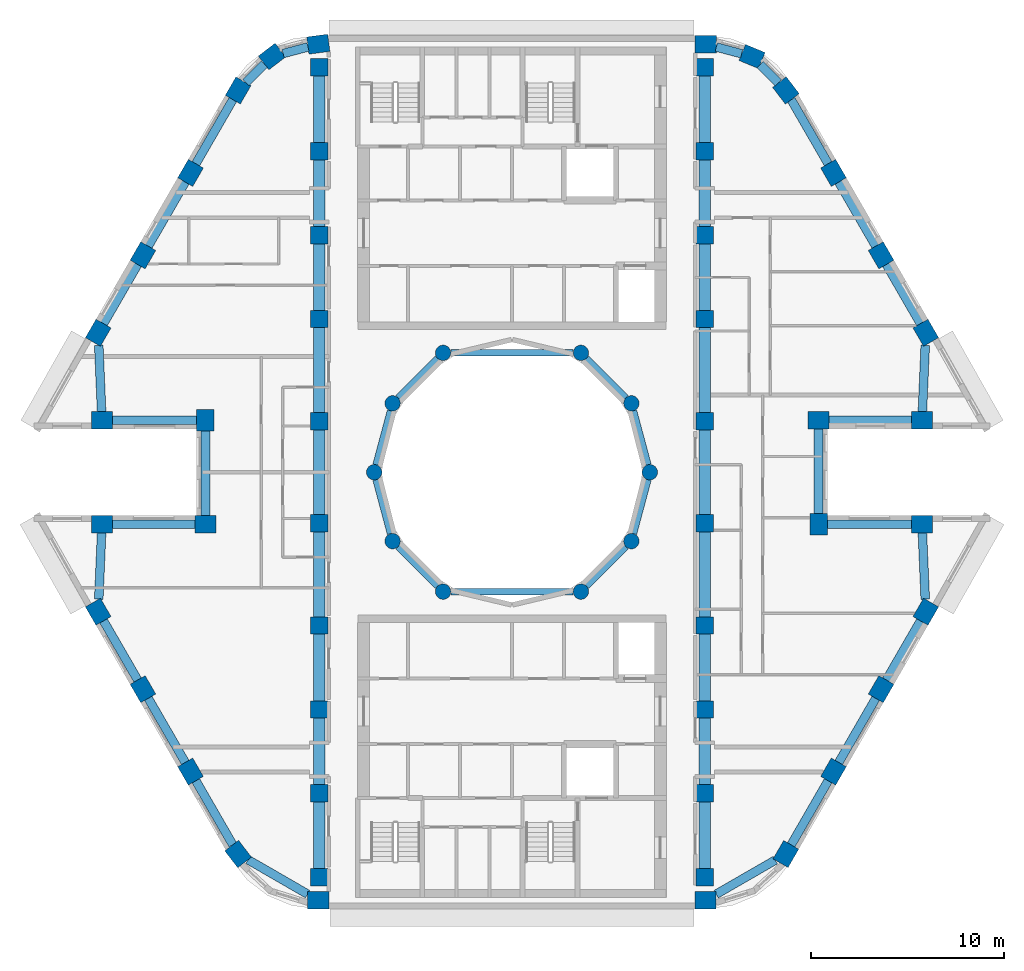
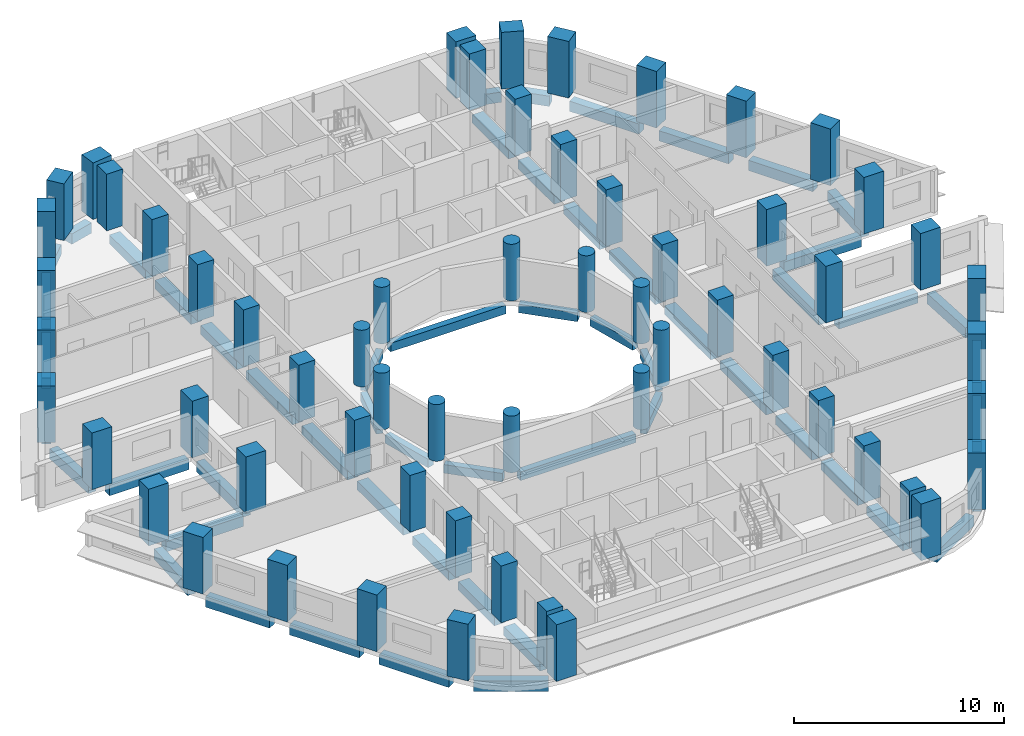
# One storey, part 1 of 12: 60 columns, 56 beams.
"""IFC4 building model written with IfcOpenShell, lengths in metres."""

from ifc_helpers import new_model, si_unit, direction, frame, origin, origin_2d, place, context, subcontext, project, spatial, rectangle, circle, extrude, material, material_profile, profile_set, type_object, element, save


model = new_model("IFC4")

# Units and contexts
model_context = context("Model", 3, precision=1e-05, world=origin(), true_north=direction((0.0, 1.0)))
body_context = subcontext(model_context, "Body", "Model", "MODEL_VIEW")
ifc_project = project(units=[si_unit("LENGTHUNIT", "METRE"), si_unit("AREAUNIT", "SQUARE_METRE"), si_unit("VOLUMEUNIT", "CUBIC_METRE"), si_unit("PLANEANGLEUNIT", "RADIAN"), si_unit("MASSUNIT", "GRAM", prefix="KILO")], contexts=[model_context])

# Site, building, storey
site_placement = place(None, origin())
site = spatial("IfcSite", under=ifc_project, at=site_placement, CompositionType="ELEMENT")
building_placement = place(site_placement, origin())
building = spatial("IfcBuilding", under=site, at=building_placement, Name="Nakaniwa Court", CompositionType="ELEMENT")
storey_placement = place(building_placement, frame((0.0, 0.0, 252.60009765625)))
storey = spatial("IfcBuildingStorey", under=building, at=storey_placement, Name="L66", CompositionType="ELEMENT", Elevation=252.60009765625)

# Columns
ifc_material = material(Name="Concrete C80/100", Category="concrete")
ifc_material_profile_1 = material_profile(ifc_material, rectangle(XDim=1.10009765625, YDim=0.89990234375, at=origin_2d()), Name="Concrete C80/100 RC 1100x900 perimeter column")
ifc_profile_set_1 = profile_set([ifc_material_profile_1], Name="Concrete C80/100")
column_type_1 = type_object("IfcColumnType", Name="Concrete C80/100 RC 1100x900 perimeter column", PredefinedType="COLUMN", material=ifc_profile_set_1)
for number, where, z_axis, x_axis, name in (
    (1, (69.95458984375, 102.199951171875, 0.0), (0.0, 0.0, 1.0), (-0.991442583111, -0.130543496177, 0.0), "COLUMN CO-01"),
    (2, (67.552001953125, 101.560302734375, 0.0), (0.0, 0.0, 1.0), (-0.793363965062, -0.608747582288, 0.0), "COLUMN CO-02"),
    (3, (65.796875, 99.799560546875, 0.0), (0.0, 0.0, 1.0), (-0.5, -0.866025403784, 0.0), "COLUMN CO-03"),
    (4, (63.328857421875, 95.524658203125, 0.0), (0.0, 0.0, 1.0), (-0.5, -0.866025403784, 0.0), "COLUMN CO-04"),
    (5, (60.860595703125, 91.249755859375, 0.0), (0.0, 0.0, 1.0), (-0.5, -0.866025403784, 0.0), "COLUMN CO-05"),
    (6, (58.541015625, 87.232177734375, 0.0), (0.0, 0.0, 1.0), (-0.5, -0.866025403784, 0.0), "COLUMN CO-06"),
    (7, (58.736083984375, 82.699951171875, 0.0), (0.0, 0.0, 1.0), (1.0, 0.0, 0.0), "COLUMN CO-08"),
    (8, (64.1005859375, 82.699951171875, 0.0), (0.0, 0.0, 1.0), (0.0, -1.0, 0.0), "COLUMN CO-09"),
    (9, (64.1005859375, 77.300048828125, 0.0), (0.0, 0.0, 1.0), (-1.0, 0.0, 0.0), "COLUMN CO-10"),
    (10, (58.736083984375, 77.300048828125, 0.0), (0.0, 0.0, 1.0), (-1.0, 0.0, 0.0), "COLUMN CO-11"),
    (11, (58.541015625, 72.767822265625, 0.0), (0.0, 0.0, 1.0), (0.5, -0.866025403784, 0.0), "COLUMN CO-13"),
    (12, (60.860595703125, 68.750244140625, 0.0), (0.0, 0.0, 1.0), (0.5, -0.866025403784, 0.0), "COLUMN CO-14"),
    (13, (63.328857421875, 64.475341796875, 0.0), (0.0, 0.0, 1.0), (0.5, -0.866025403784, 0.0), "COLUMN CO-15"),
    (14, (65.796875, 60.200439453125, 0.0), (0.0, 0.0, 1.0), (0.608761429009, -0.793353340291, 0.0), "COLUMN CO-16"),
    (15, (69.95458984375, 57.800048828125, 0.0), (0.0, 0.0, 1.0), (1.0, 0.0, 0.0), "COLUMN CO-17"),
    (16, (90.03955078125, 57.800048828125, 0.0), (0.0, 0.0, 1.0), (1.0, 0.0, 0.0), "COLUMN CO-21"),
    (17, (94.203125, 60.200439453125, 0.0), (0.0, 0.0, 1.0), (0.5, 0.866025403784, 0.0), "COLUMN CO-22"),
    (18, (96.671142578125, 64.475341796875, 0.0), (0.0, 0.0, 1.0), (0.5, 0.866025403784, 0.0), "COLUMN CO-23"),
    (19, (99.139404296875, 68.750244140625, 0.0), (0.0, 0.0, 1.0), (0.5, 0.866025403784, 0.0), "COLUMN CO-24"),
    (20, (101.458984375, 72.767822265625, 0.0), (0.0, 0.0, 1.0), (0.5, 0.866025403784, 0.0), "COLUMN CO-25"),
    (21, (101.263916015625, 77.300048828125, 0.0), (0.0, 0.0, 1.0), (-1.0, 0.0, 0.0), "COLUMN CO-27"),
    (22, (95.8994140625, 77.300048828125, 0.0), (0.0, 0.0, 1.0), (0.0, 1.0, 0.0), "COLUMN CO-28"),
    (23, (95.8994140625, 82.699951171875, 0.0), (0.0, 0.0, 1.0), (1.0, 0.0, 0.0), "COLUMN CO-29"),
    (24, (101.263916015625, 82.699951171875, 0.0), (0.0, 0.0, 1.0), (1.0, 0.0, 0.0), "COLUMN CO-30"),
    (25, (101.458984375, 87.232177734375, 0.0), (0.0, 0.0, 1.0), (-0.5, 0.866025403784, 0.0), "COLUMN CO-32"),
    (26, (99.139404296875, 91.249755859375, 0.0), (0.0, 0.0, 1.0), (-0.5, 0.866025403784, 0.0), "COLUMN CO-33"),
    (27, (96.671142578125, 95.524658203125, 0.0), (0.0, 0.0, 1.0), (-0.5, 0.866025403784, 0.0), "COLUMN CO-34"),
    (28, (94.203125, 99.799560546875, 0.0), (0.0, 0.0, 1.0), (-0.608761429009, 0.793353340291, 0.0), "COLUMN CO-35"),
    (29, (92.447998046875, 101.560302734375, 0.0), (0.0, 0.0, 1.0), (-0.923879532511, 0.382683432365, 0.0), "COLUMN CO-36"),
    (30, (90.04541015625, 102.199951171875, 0.0), (0.0, 0.0, 1.0), (-1.0, 0.0, 0.0), "COLUMN CO-37"),
):
    element("IfcColumn", number, at=place(storey_placement, frame(where, z_axis=z_axis, x_axis=x_axis)), inside=storey, type_object=column_type_1, Name=name, PredefinedType="COLUMN", context=body_context, shape_type="SweptSolid", body=[
        extrude(rectangle(XDim=1.10009765625, YDim=0.89990234375, at=origin_2d()), origin(), (0.0, 0.0, 1.0), 3.2998046875),
    ])
ifc_material_profile_2 = material_profile(ifc_material, rectangle(XDim=0.89990234375, YDim=0.89990234375, at=origin_2d()), Name="Concrete C80/100 RC 900x900 spine column")
ifc_profile_set_2 = profile_set([ifc_material_profile_2], Name="Concrete C80/100")
column_type_2 = type_object("IfcColumnType", Name="Concrete C80/100 RC 900x900 spine column", PredefinedType="COLUMN", material=ifc_profile_set_2)
for number, where, z_axis, x_axis, name in (
    (31, (90.0, 59.0, 0.0), (0.0, 0.0, 1.0), (0.0, 1.0, 0.0), "COLUMN CS-01"),
    (32, (90.0, 63.35009765625, 0.0), (0.0, 0.0, 1.0), (0.0, 1.0, 0.0), "COLUMN CS-02"),
    (33, (90.0, 67.699951171875, 0.0), (0.0, 0.0, 1.0), (0.0, 1.0, 0.0), "COLUMN CS-03"),
    (34, (90.0, 72.050048828125, 0.0), (0.0, 0.0, 1.0), (0.0, 1.0, 0.0), "COLUMN CS-04"),
    (35, (90.0, 77.35009765625, 0.0), (0.0, 0.0, 1.0), (0.0, 1.0, 0.0), "COLUMN CS-05"),
    (36, (90.0, 82.64990234375, 0.0), (0.0, 0.0, 1.0), (0.0, 1.0, 0.0), "COLUMN CS-06"),
    (37, (90.0, 87.949951171875, 0.0), (0.0, 0.0, 1.0), (0.0, 1.0, 0.0), "COLUMN CS-07"),
    (38, (90.0, 92.300048828125, 0.0), (0.0, 0.0, 1.0), (0.0, 1.0, 0.0), "COLUMN CS-08"),
    (39, (90.0, 96.64990234375, 0.0), (0.0, 0.0, 1.0), (0.0, 1.0, 0.0), "COLUMN CS-09"),
    (40, (90.0, 101.0, 0.0), (0.0, 0.0, 1.0), (0.0, 1.0, 0.0), "COLUMN CS-10"),
    (41, (70.0, 101.0, 0.0), (0.0, 0.0, 1.0), (0.0, -1.0, 0.0), "COLUMN CS-11"),
    (42, (70.0, 96.64990234375, 0.0), (0.0, 0.0, 1.0), (0.0, -1.0, 0.0), "COLUMN CS-12"),
    (43, (70.0, 92.300048828125, 0.0), (0.0, 0.0, 1.0), (0.0, -1.0, 0.0), "COLUMN CS-13"),
    (44, (70.0, 87.949951171875, 0.0), (0.0, 0.0, 1.0), (0.0, -1.0, 0.0), "COLUMN CS-14"),
    (45, (70.0, 82.64990234375, 0.0), (0.0, 0.0, 1.0), (0.0, -1.0, 0.0), "COLUMN CS-15"),
    (46, (70.0, 77.35009765625, 0.0), (0.0, 0.0, 1.0), (0.0, -1.0, 0.0), "COLUMN CS-16"),
    (47, (70.0, 72.050048828125, 0.0), (0.0, 0.0, 1.0), (0.0, -1.0, 0.0), "COLUMN CS-17"),
    (48, (70.0, 67.699951171875, 0.0), (0.0, 0.0, 1.0), (0.0, -1.0, 0.0), "COLUMN CS-18"),
    (49, (70.0, 63.35009765625, 0.0), (0.0, 0.0, 1.0), (0.0, -1.0, 0.0), "COLUMN CS-19"),
    (50, (70.0, 59.0, 0.0), (0.0, 0.0, 1.0), (0.0, -1.0, 0.0), "COLUMN CS-20"),
):
    element("IfcColumn", number, at=place(storey_placement, frame(where, z_axis=z_axis, x_axis=x_axis)), inside=storey, type_object=column_type_2, Name=name, PredefinedType="COLUMN", context=body_context, shape_type="SweptSolid", body=[
        extrude(rectangle(XDim=0.89990234375, YDim=0.89990234375, at=origin_2d()), origin(), (0.0, 0.0, 1.0), 3.2998046875),
    ])
ifc_material_profile_3 = material_profile(ifc_material, circle(Radius=0.39990234375, at=origin_2d()), Name="Concrete C80/100 RC D800 inner ring column")
ifc_profile_set_3 = profile_set([ifc_material_profile_3], Name="Concrete C80/100")
column_type_3 = type_object("IfcColumnType", Name="Concrete C80/100 RC D800 inner ring column", PredefinedType="COLUMN", material=ifc_profile_set_3)
for number, where, z_axis, x_axis, name in (
    (51, (87.14990234375, 80.0, 0.0), (0.0, 0.0, 1.0), (0.0, 1.0, 0.0), "COLUMN CI-01"),
    (52, (86.192138671875, 83.574951171875, 0.0), (0.0, 0.0, 1.0), (-0.5, 0.866025403784, 0.0), "COLUMN CI-02"),
    (53, (83.574951171875, 86.192138671875, 0.0), (0.0, 0.0, 1.0), (-0.866025403784, 0.5, 0.0), "COLUMN CI-03"),
    (54, (76.425048828125, 86.192138671875, 0.0), (0.0, 0.0, 1.0), (-0.866025403784, -0.5, 0.0), "COLUMN CI-05"),
    (55, (73.807861328125, 83.574951171875, 0.0), (0.0, 0.0, 1.0), (-0.5, -0.866025403784, 0.0), "COLUMN CI-06"),
    (56, (72.85009765625, 80.0, 0.0), (0.0, 0.0, 1.0), (0.0, -1.0, 0.0), "COLUMN CI-07"),
    (57, (73.807861328125, 76.425048828125, 0.0), (0.0, 0.0, 1.0), (0.5, -0.866025403784, 0.0), "COLUMN CI-08"),
    (58, (76.425048828125, 73.807861328125, 0.0), (0.0, 0.0, 1.0), (0.866025403784, -0.5, 0.0), "COLUMN CI-09"),
    (59, (83.574951171875, 73.807861328125, 0.0), (0.0, 0.0, 1.0), (0.866025403784, 0.5, 0.0), "COLUMN CI-11"),
    (60, (86.192138671875, 76.425048828125, 0.0), (0.0, 0.0, 1.0), (0.5, 0.866025403784, 0.0), "COLUMN CI-12"),
):
    element("IfcColumn", number, at=place(storey_placement, frame(where, z_axis=z_axis, x_axis=x_axis)), inside=storey, type_object=column_type_3, Name=name, PredefinedType="COLUMN", context=body_context, shape_type="SweptSolid", body=[
        extrude(circle(Radius=0.39990234375, at=origin_2d()), origin(), (0.0, 0.0, 1.0), 3.2998046875),
    ])

# Beams
ifc_material_profile_4 = material_profile(ifc_material, rectangle(XDim=0.35009765625, YDim=0.5, at=origin_2d()), Name="Concrete C80/100 RC 350x500 ring beam")
ifc_profile_set_4 = profile_set([ifc_material_profile_4], Name="Concrete C80/100")
beam_type_1 = type_object("IfcBeamType", Name="Concrete C80/100 RC 350x500 ring beam", PredefinedType="BEAM", material=ifc_profile_set_4)
beam_1_placement = place(storey_placement, frame((87.04638671875, 80.386474609375, -0.525146484375), z_axis=(-0.258778150207, 0.965936783115, 0.0), x_axis=(-0.965936783115, -0.258778150207, 0.0)))
element("IfcBeam", 61, at=beam_1_placement, inside=storey, type_object=beam_type_1, Name="RING BEAM", PredefinedType="BEAM", context=body_context, shape_type="SweptSolid", body=[
    extrude(rectangle(XDim=0.35009765625, YDim=0.5, at=origin_2d()), origin(), (0.0, 0.0, 1.0), 2.901123046875),
])
beam_2_placement = place(storey_placement, frame((85.9091796875, 83.85791015625, -0.525146484375), z_axis=(-0.707106781187, 0.707106781187, 0.0), x_axis=(-0.707106781187, -0.707106781187, 0.0)))
element("IfcBeam", 62, at=beam_2_placement, inside=storey, type_object=beam_type_1, Name="RING BEAM", PredefinedType="BEAM", context=body_context, shape_type="SweptSolid", body=[
    extrude(rectangle(XDim=0.35009765625, YDim=0.5, at=origin_2d()), origin(), (0.0, 0.0, 1.0), 2.90087890625),
])
beam_3_placement = place(storey_placement, frame((83.175048828125, 86.192138671875, -0.525146484375), z_axis=(-1.0, 0.0, 0.0), x_axis=(0.0, -1.0, 0.0)))
element("IfcBeam", 63, at=beam_3_placement, inside=storey, type_object=beam_type_1, Name="RING BEAM", PredefinedType="BEAM", context=body_context, shape_type="SweptSolid", body=[
    extrude(rectangle(XDim=0.35009765625, YDim=0.5, at=origin_2d()), origin(), (0.0, 0.0, 1.0), 6.35009765625),
])
beam_4_placement = place(storey_placement, frame((76.14208984375, 85.9091796875, -0.525146484375), z_axis=(-0.707106781187, -0.707106781187, 0.0), x_axis=(0.707106781187, -0.707106781187, 0.0)))
element("IfcBeam", 64, at=beam_4_placement, inside=storey, type_object=beam_type_1, Name="RING BEAM", PredefinedType="BEAM", context=body_context, shape_type="SweptSolid", body=[
    extrude(rectangle(XDim=0.35009765625, YDim=0.5, at=origin_2d()), origin(), (0.0, 0.0, 1.0), 2.90087890625),
])
for number, where, z_axis, x_axis, name in (
    (65, (73.704345703125, 83.188720703125, -0.525146484375), (-0.258778150207, -0.965936783115, 0.0), (0.965936783115, -0.258778150207, 0.0), "RING BEAM"),
    (66, (72.95361328125, 79.613525390625, -0.525146484375), (0.258778150207, -0.965936783115, 0.0), (0.965936783115, 0.258778150207, 0.0), "RING BEAM"),
):
    element("IfcBeam", number, at=place(storey_placement, frame(where, z_axis=z_axis, x_axis=x_axis)), inside=storey, type_object=beam_type_1, Name=name, PredefinedType="BEAM", context=body_context, shape_type="SweptSolid", body=[
        extrude(rectangle(XDim=0.35009765625, YDim=0.5, at=origin_2d()), origin(), (0.0, 0.0, 1.0), 2.901123046875),
    ])
beam_5_placement = place(storey_placement, frame((74.0908203125, 76.14208984375, -0.525146484375), z_axis=(0.707106781187, -0.707106781187, 0.0), x_axis=(0.707106781187, 0.707106781187, 0.0)))
element("IfcBeam", 67, at=beam_5_placement, inside=storey, type_object=beam_type_1, Name="RING BEAM", PredefinedType="BEAM", context=body_context, shape_type="SweptSolid", body=[
    extrude(rectangle(XDim=0.35009765625, YDim=0.5, at=origin_2d()), origin(), (0.0, 0.0, 1.0), 2.90087890625),
])
beam_6_placement = place(storey_placement, frame((76.824951171875, 73.807861328125, -0.525146484375), z_axis=(1.0, 0.0, 0.0), x_axis=(0.0, 1.0, 0.0)))
element("IfcBeam", 68, at=beam_6_placement, inside=storey, type_object=beam_type_1, Name="RING BEAM", PredefinedType="BEAM", context=body_context, shape_type="SweptSolid", body=[
    extrude(rectangle(XDim=0.35009765625, YDim=0.5, at=origin_2d()), origin(), (0.0, 0.0, 1.0), 6.35009765625),
])
beam_7_placement = place(storey_placement, frame((83.85791015625, 74.0908203125, -0.525146484375), z_axis=(0.707106781187, 0.707106781187, 0.0), x_axis=(-0.707106781187, 0.707106781187, 0.0)))
element("IfcBeam", 69, at=beam_7_placement, inside=storey, type_object=beam_type_1, Name="RING BEAM", PredefinedType="BEAM", context=body_context, shape_type="SweptSolid", body=[
    extrude(rectangle(XDim=0.35009765625, YDim=0.5, at=origin_2d()), origin(), (0.0, 0.0, 1.0), 2.90087890625),
])
beam_8_placement = place(storey_placement, frame((86.295654296875, 76.811279296875, -0.525146484375), z_axis=(0.258778150207, 0.965936783115, 0.0), x_axis=(-0.965936783115, 0.258778150207, 0.0)))
element("IfcBeam", 70, at=beam_8_placement, inside=storey, type_object=beam_type_1, Name="RING BEAM", PredefinedType="BEAM", context=body_context, shape_type="SweptSolid", body=[
    extrude(rectangle(XDim=0.35009765625, YDim=0.5, at=origin_2d()), origin(), (0.0, 0.0, 1.0), 2.901123046875),
])
ifc_material_profile_5 = material_profile(ifc_material, rectangle(XDim=0.449951171875, YDim=0.60009765625, at=origin_2d()), Name="Concrete C80/100 RC 450x600 spandrel beam")
ifc_profile_set_5 = profile_set([ifc_material_profile_5], Name="Concrete C80/100")
beam_type_2 = type_object("IfcBeamType", Name="Concrete C80/100 RC 450x600 spandrel beam", PredefinedType="BEAM", material=ifc_profile_set_5)
beam_9_placement = place(storey_placement, frame((69.418701171875, 102.057373046875, -0.5751953125), z_axis=(-0.966286479475, -0.257469298332, 0.0), x_axis=(0.257469298332, -0.966286479475, 0.0)))
element("IfcBeam", 71, at=beam_9_placement, inside=storey, type_object=beam_type_2, Name="SPANDREL BEAM", PredefinedType="BEAM", context=body_context, shape_type="SweptSolid", body=[
    extrude(rectangle(XDim=0.449951171875, YDim=0.60009765625, at=origin_2d()), origin(), (0.0, 0.0, 1.0), 1.3359375),
])
beam_10_placement = place(storey_placement, frame((67.160400390625, 101.167236328125, -0.5751953125), z_axis=(-0.706030517025, -0.708181409689, 0.0), x_axis=(0.708181409689, -0.706030517025, 0.0)))
element("IfcBeam", 72, at=beam_10_placement, inside=storey, type_object=beam_type_2, Name="SPANDREL BEAM", PredefinedType="BEAM", context=body_context, shape_type="SweptSolid", body=[
    extrude(rectangle(XDim=0.449951171875, YDim=0.60009765625, at=origin_2d()), origin(), (0.0, 0.0, 1.0), 1.362060546875),
])
for number, where, z_axis, x_axis, name in (
    (73, (65.52197265625, 99.3232421875, -0.5751953125), (-0.50001992892, -0.866013897511, 0.0), (0.866013897511, -0.50001992892, 0.0), "SPANDREL BEAM"),
    (74, (63.0537109375, 95.04833984375, -0.5751953125), (-0.499972197867, -0.866041454758, 0.0), (0.866041454758, -0.499972197867, 0.0), "SPANDREL BEAM"),
):
    element("IfcBeam", number, at=place(storey_placement, frame(where, z_axis=z_axis, x_axis=x_axis)), inside=storey, type_object=beam_type_2, Name=name, PredefinedType="BEAM", context=body_context, shape_type="SweptSolid", body=[
        extrude(rectangle(XDim=0.449951171875, YDim=0.60009765625, at=origin_2d()), origin(), (0.0, 0.0, 1.0), 3.836181640625),
    ])
beam_11_placement = place(storey_placement, frame((60.585693359375, 90.7734375, -0.5751953125), z_axis=(-0.499997139945, -0.866027055032, 0.0), x_axis=(0.866027055032, -0.499997139945, 0.0)))
element("IfcBeam", 75, at=beam_11_placement, inside=storey, type_object=beam_type_2, Name="SPANDREL BEAM", PredefinedType="BEAM", context=body_context, shape_type="SweptSolid", body=[
    extrude(rectangle(XDim=0.449951171875, YDim=0.60009765625, at=origin_2d()), origin(), (0.0, 0.0, 1.0), 3.5390625),
])
beam_12_placement = place(storey_placement, frame((58.569091796875, 86.580810546875, -0.5751953125), z_axis=(0.042940503042, -0.999077631217, 0.0), x_axis=(0.999077631217, 0.042940503042, 0.0)))
element("IfcBeam", 76, at=beam_12_placement, inside=storey, type_object=beam_type_2, Name="SPANDREL BEAM", PredefinedType="BEAM", context=body_context, shape_type="SweptSolid", body=[
    extrude(rectangle(XDim=0.449951171875, YDim=0.60009765625, at=origin_2d()), origin(), (0.0, 0.0, 1.0), 3.43408203125),
])
beam_13_placement = place(storey_placement, frame((59.285888671875, 82.699951171875, -0.5751953125), z_axis=(1.0, 0.0, 0.0), x_axis=(0.0, 1.0, 0.0)))
element("IfcBeam", 77, at=beam_13_placement, inside=storey, type_object=beam_type_2, Name="SPANDREL BEAM", PredefinedType="BEAM", context=body_context, shape_type="SweptSolid", body=[
    extrude(rectangle(XDim=0.449951171875, YDim=0.60009765625, at=origin_2d()), origin(), (0.0, 0.0, 1.0), 4.364501953125),
])
beam_14_placement = place(storey_placement, frame((64.1005859375, 82.14990234375, -0.5751953125), z_axis=(0.0, -1.0, 0.0), x_axis=(1.0, 0.0, 0.0)))
element("IfcBeam", 78, at=beam_14_placement, inside=storey, type_object=beam_type_2, Name="SPANDREL BEAM", PredefinedType="BEAM", context=body_context, shape_type="SweptSolid", body=[
    extrude(rectangle(XDim=0.449951171875, YDim=0.60009765625, at=origin_2d()), origin(), (0.0, 0.0, 1.0), 4.39990234375),
])
beam_15_placement = place(storey_placement, frame((63.550537109375, 77.300048828125, -0.5751953125), z_axis=(-1.0, 0.0, 0.0), x_axis=(0.0, -1.0, 0.0)))
element("IfcBeam", 79, at=beam_15_placement, inside=storey, type_object=beam_type_2, Name="SPANDREL BEAM", PredefinedType="BEAM", context=body_context, shape_type="SweptSolid", body=[
    extrude(rectangle(XDim=0.449951171875, YDim=0.60009765625, at=origin_2d()), origin(), (0.0, 0.0, 1.0), 4.2646484375),
])
beam_16_placement = place(storey_placement, frame((58.716552734375, 76.85009765625, -0.5751953125), z_axis=(-0.042940503042, -0.999077631217, 0.0), x_axis=(0.999077631217, -0.042940503042, 0.0)))
element("IfcBeam", 80, at=beam_16_placement, inside=storey, type_object=beam_type_2, Name="SPANDREL BEAM", PredefinedType="BEAM", context=body_context, shape_type="SweptSolid", body=[
    extrude(rectangle(XDim=0.449951171875, YDim=0.60009765625, at=origin_2d()), origin(), (0.0, 0.0, 1.0), 3.43408203125),
])
beam_17_placement = place(storey_placement, frame((58.816162109375, 72.29150390625, -0.5751953125), z_axis=(0.499997139945, -0.866027055032, 0.0), x_axis=(0.866027055032, 0.499997139945, 0.0)))
element("IfcBeam", 81, at=beam_17_placement, inside=storey, type_object=beam_type_2, Name="SPANDREL BEAM", PredefinedType="BEAM", context=body_context, shape_type="SweptSolid", body=[
    extrude(rectangle(XDim=0.449951171875, YDim=0.60009765625, at=origin_2d()), origin(), (0.0, 0.0, 1.0), 3.5390625),
])
beam_18_placement = place(storey_placement, frame((61.1357421875, 68.27392578125, -0.5751953125), z_axis=(0.499972197867, -0.866041454758, 0.0), x_axis=(0.866041454758, 0.499972197867, 0.0)))
element("IfcBeam", 82, at=beam_18_placement, inside=storey, type_object=beam_type_2, Name="SPANDREL BEAM", PredefinedType="BEAM", context=body_context, shape_type="SweptSolid", body=[
    extrude(rectangle(XDim=0.449951171875, YDim=0.60009765625, at=origin_2d()), origin(), (0.0, 0.0, 1.0), 3.836181640625),
])
beam_19_placement = place(storey_placement, frame((63.603759765625, 63.9990234375, -0.5751953125), z_axis=(0.500011110731, -0.866018988906, 0.0), x_axis=(0.866018988906, 0.500011110731, 0.0)))
element("IfcBeam", 83, at=beam_19_placement, inside=storey, type_object=beam_type_2, Name="SPANDREL BEAM", PredefinedType="BEAM", context=body_context, shape_type="SweptSolid", body=[
    extrude(rectangle(XDim=0.449951171875, YDim=0.60009765625, at=origin_2d()), origin(), (0.0, 0.0, 1.0), 3.83154296875),
])
beam_20_placement = place(storey_placement, frame((66.3125, 59.90283203125, -0.5751953125), z_axis=(0.866017069707, -0.500014434768, 0.0), x_axis=(0.500014434768, 0.866017069707, 0.0)))
element("IfcBeam", 84, at=beam_20_placement, inside=storey, type_object=beam_type_2, Name="SPANDREL BEAM", PredefinedType="BEAM", context=body_context, shape_type="SweptSolid", body=[
    extrude(rectangle(XDim=0.449951171875, YDim=0.60009765625, at=origin_2d()), origin(), (0.0, 0.0, 1.0), 3.57080078125),
])
beam_21_placement = place(storey_placement, frame((90.589599609375, 58.1171875, -0.5751953125), z_axis=(0.866307414098, 0.499511225378, 0.0), x_axis=(-0.499511225378, 0.866307414098, 0.0)))
element("IfcBeam", 85, at=beam_21_placement, inside=storey, type_object=beam_type_2, Name="SPANDREL BEAM", PredefinedType="BEAM", context=body_context, shape_type="SweptSolid", body=[
    extrude(rectangle(XDim=0.449951171875, YDim=0.60009765625, at=origin_2d()), origin(), (0.0, 0.0, 1.0), 3.53564453125),
])
for number, where, z_axis, x_axis, name in (
    (86, (94.47802734375, 60.6767578125, -0.5751953125), (0.50001992892, 0.866013897511, 0.0), (-0.866013897511, 0.50001992892, 0.0), "SPANDREL BEAM"),
    (87, (96.9462890625, 64.95166015625, -0.5751953125), (0.499972197867, 0.866041454758, 0.0), (-0.866041454758, 0.499972197867, 0.0), "SPANDREL BEAM"),
):
    element("IfcBeam", number, at=place(storey_placement, frame(where, z_axis=z_axis, x_axis=x_axis)), inside=storey, type_object=beam_type_2, Name=name, PredefinedType="BEAM", context=body_context, shape_type="SweptSolid", body=[
        extrude(rectangle(XDim=0.449951171875, YDim=0.60009765625, at=origin_2d()), origin(), (0.0, 0.0, 1.0), 3.836181640625),
    ])
beam_22_placement = place(storey_placement, frame((99.414306640625, 69.2265625, -0.5751953125), z_axis=(0.499997139945, 0.866027055032, 0.0), x_axis=(-0.866027055032, 0.499997139945, 0.0)))
element("IfcBeam", 88, at=beam_22_placement, inside=storey, type_object=beam_type_2, Name="SPANDREL BEAM", PredefinedType="BEAM", context=body_context, shape_type="SweptSolid", body=[
    extrude(rectangle(XDim=0.449951171875, YDim=0.60009765625, at=origin_2d()), origin(), (0.0, 0.0, 1.0), 3.5390625),
])
beam_23_placement = place(storey_placement, frame((101.430908203125, 73.419189453125, -0.5751953125), z_axis=(-0.042940503042, 0.999077631217, 0.0), x_axis=(-0.999077631217, -0.042940503042, 0.0)))
element("IfcBeam", 89, at=beam_23_placement, inside=storey, type_object=beam_type_2, Name="SPANDREL BEAM", PredefinedType="BEAM", context=body_context, shape_type="SweptSolid", body=[
    extrude(rectangle(XDim=0.449951171875, YDim=0.60009765625, at=origin_2d()), origin(), (0.0, 0.0, 1.0), 3.43408203125),
])
beam_24_placement = place(storey_placement, frame((100.714111328125, 77.300048828125, -0.5751953125), z_axis=(-1.0, 0.0, 0.0), x_axis=(0.0, -1.0, 0.0)))
element("IfcBeam", 90, at=beam_24_placement, inside=storey, type_object=beam_type_2, Name="SPANDREL BEAM", PredefinedType="BEAM", context=body_context, shape_type="SweptSolid", body=[
    extrude(rectangle(XDim=0.449951171875, YDim=0.60009765625, at=origin_2d()), origin(), (0.0, 0.0, 1.0), 4.364501953125),
])
beam_25_placement = place(storey_placement, frame((95.8994140625, 77.85009765625, -0.5751953125), z_axis=(0.0, 1.0, 0.0), x_axis=(-1.0, 0.0, 0.0)))
element("IfcBeam", 91, at=beam_25_placement, inside=storey, type_object=beam_type_2, Name="SPANDREL BEAM", PredefinedType="BEAM", context=body_context, shape_type="SweptSolid", body=[
    extrude(rectangle(XDim=0.449951171875, YDim=0.60009765625, at=origin_2d()), origin(), (0.0, 0.0, 1.0), 4.39990234375),
])
beam_26_placement = place(storey_placement, frame((96.449462890625, 82.699951171875, -0.5751953125), z_axis=(1.0, 0.0, 0.0), x_axis=(0.0, 1.0, 0.0)))
element("IfcBeam", 92, at=beam_26_placement, inside=storey, type_object=beam_type_2, Name="SPANDREL BEAM", PredefinedType="BEAM", context=body_context, shape_type="SweptSolid", body=[
    extrude(rectangle(XDim=0.449951171875, YDim=0.60009765625, at=origin_2d()), origin(), (0.0, 0.0, 1.0), 4.2646484375),
])
beam_27_placement = place(storey_placement, frame((101.283447265625, 83.14990234375, -0.5751953125), z_axis=(0.042940503042, 0.999077631217, 0.0), x_axis=(-0.999077631217, 0.042940503042, 0.0)))
element("IfcBeam", 93, at=beam_27_placement, inside=storey, type_object=beam_type_2, Name="SPANDREL BEAM", PredefinedType="BEAM", context=body_context, shape_type="SweptSolid", body=[
    extrude(rectangle(XDim=0.449951171875, YDim=0.60009765625, at=origin_2d()), origin(), (0.0, 0.0, 1.0), 3.43408203125),
])
beam_28_placement = place(storey_placement, frame((101.183837890625, 87.70849609375, -0.5751953125), z_axis=(-0.499997139945, 0.866027055032, 0.0), x_axis=(-0.866027055032, -0.499997139945, 0.0)))
element("IfcBeam", 94, at=beam_28_placement, inside=storey, type_object=beam_type_2, Name="SPANDREL BEAM", PredefinedType="BEAM", context=body_context, shape_type="SweptSolid", body=[
    extrude(rectangle(XDim=0.449951171875, YDim=0.60009765625, at=origin_2d()), origin(), (0.0, 0.0, 1.0), 3.5390625),
])
beam_29_placement = place(storey_placement, frame((98.8642578125, 91.72607421875, -0.5751953125), z_axis=(-0.499972197867, 0.866041454758, 0.0), x_axis=(-0.866041454758, -0.499972197867, 0.0)))
element("IfcBeam", 95, at=beam_29_placement, inside=storey, type_object=beam_type_2, Name="SPANDREL BEAM", PredefinedType="BEAM", context=body_context, shape_type="SweptSolid", body=[
    extrude(rectangle(XDim=0.449951171875, YDim=0.60009765625, at=origin_2d()), origin(), (0.0, 0.0, 1.0), 3.836181640625),
])
beam_30_placement = place(storey_placement, frame((96.396240234375, 96.0009765625, -0.5751953125), z_axis=(-0.500011110731, 0.866018988906, 0.0), x_axis=(-0.866018988906, -0.500011110731, 0.0)))
element("IfcBeam", 96, at=beam_30_placement, inside=storey, type_object=beam_type_2, Name="SPANDREL BEAM", PredefinedType="BEAM", context=body_context, shape_type="SweptSolid", body=[
    extrude(rectangle(XDim=0.449951171875, YDim=0.60009765625, at=origin_2d()), origin(), (0.0, 0.0, 1.0), 3.83154296875),
])
beam_31_placement = place(storey_placement, frame((93.8115234375, 100.1923828125, -0.5751953125), z_axis=(-0.706100745773, 0.708111387296, 0.0), x_axis=(-0.708111387296, -0.706100745773, 0.0)))
element("IfcBeam", 97, at=beam_31_placement, inside=storey, type_object=beam_type_2, Name="SPANDREL BEAM", PredefinedType="BEAM", context=body_context, shape_type="SweptSolid", body=[
    extrude(rectangle(XDim=0.449951171875, YDim=0.60009765625, at=origin_2d()), origin(), (0.0, 0.0, 1.0), 1.335693359375),
])
beam_32_placement = place(storey_placement, frame((91.91162109375, 101.702880859375, -0.5751953125), z_axis=(-0.966318174979, 0.257350315146, 0.0), x_axis=(-0.257350315146, -0.966318174979, 0.0)))
element("IfcBeam", 98, at=beam_32_placement, inside=storey, type_object=beam_type_2, Name="SPANDREL BEAM", PredefinedType="BEAM", context=body_context, shape_type="SweptSolid", body=[
    extrude(rectangle(XDim=0.449951171875, YDim=0.60009765625, at=origin_2d()), origin(), (0.0, 0.0, 1.0), 1.3623046875),
])
ifc_material_profile_6 = material_profile(ifc_material, rectangle(XDim=0.60009765625, YDim=0.5, at=origin_2d()), Name="Concrete C80/100 RC 600x500 ring beam")
ifc_profile_set_6 = profile_set([ifc_material_profile_6], Name="Concrete C80/100")
beam_type_3 = type_object("IfcBeamType", Name="Concrete C80/100 RC 600x500 ring beam", PredefinedType="BEAM", material=ifc_profile_set_6)
for number, where, z_axis, x_axis, name in (
    (99, (90.0, 59.449951171875, -0.525146484375), (0.0, 1.0, 0.0), (-1.0, 0.0, 0.0), "RING BEAM"),
    (100, (90.0, 63.800048828125, -0.525146484375), (0.0, 1.0, 0.0), (-1.0, 0.0, 0.0), "RING BEAM"),
):
    element("IfcBeam", number, at=place(storey_placement, frame(where, z_axis=z_axis, x_axis=x_axis)), inside=storey, type_object=beam_type_3, Name=name, PredefinedType="BEAM", context=body_context, shape_type="SweptSolid", body=[
        extrude(rectangle(XDim=0.60009765625, YDim=0.5, at=origin_2d()), origin(), (0.0, 0.0, 1.0), 3.449951171875),
    ])
beam_33_placement = place(storey_placement, frame((90.0, 68.14990234375, -0.525146484375), z_axis=(0.0, 1.0, 0.0), x_axis=(-1.0, 0.0, 0.0)))
element("IfcBeam", 101, at=beam_33_placement, inside=storey, type_object=beam_type_3, Name="RING BEAM", PredefinedType="BEAM", context=body_context, shape_type="SweptSolid", body=[
    extrude(rectangle(XDim=0.60009765625, YDim=0.5, at=origin_2d()), origin(), (0.0, 0.0, 1.0), 3.4501953125),
])
for number, where, z_axis, x_axis, name in (
    (102, (90.0, 72.5, -0.525146484375), (0.0, 1.0, 0.0), (-1.0, 0.0, 0.0), "RING BEAM"),
    (103, (90.0, 77.800048828125, -0.525146484375), (0.0, 1.0, 0.0), (-1.0, 0.0, 0.0), "RING BEAM"),
    (104, (90.0, 83.10009765625, -0.525146484375), (0.0, 1.0, 0.0), (-1.0, 0.0, 0.0), "RING BEAM"),
):
    element("IfcBeam", number, at=place(storey_placement, frame(where, z_axis=z_axis, x_axis=x_axis)), inside=storey, type_object=beam_type_3, Name=name, PredefinedType="BEAM", context=body_context, shape_type="SweptSolid", body=[
        extrude(rectangle(XDim=0.60009765625, YDim=0.5, at=origin_2d()), origin(), (0.0, 0.0, 1.0), 4.39990234375),
    ])
beam_34_placement = place(storey_placement, frame((90.0, 88.39990234375, -0.525146484375), z_axis=(0.0, 1.0, 0.0), x_axis=(-1.0, 0.0, 0.0)))
element("IfcBeam", 105, at=beam_34_placement, inside=storey, type_object=beam_type_3, Name="RING BEAM", PredefinedType="BEAM", context=body_context, shape_type="SweptSolid", body=[
    extrude(rectangle(XDim=0.60009765625, YDim=0.5, at=origin_2d()), origin(), (0.0, 0.0, 1.0), 3.4501953125),
])
for number, where, z_axis, x_axis, name in (
    (106, (90.0, 92.75, -0.525146484375), (0.0, 1.0, 0.0), (-1.0, 0.0, 0.0), "RING BEAM"),
    (107, (90.0, 97.10009765625, -0.525146484375), (0.0, 1.0, 0.0), (-1.0, 0.0, 0.0), "RING BEAM"),
    (108, (70.0, 100.550048828125, -0.525146484375), (0.0, -1.0, 0.0), (1.0, 0.0, 0.0), "RING BEAM"),
    (109, (70.0, 96.199951171875, -0.525146484375), (0.0, -1.0, 0.0), (1.0, 0.0, 0.0), "RING BEAM"),
):
    element("IfcBeam", number, at=place(storey_placement, frame(where, z_axis=z_axis, x_axis=x_axis)), inside=storey, type_object=beam_type_3, Name=name, PredefinedType="BEAM", context=body_context, shape_type="SweptSolid", body=[
        extrude(rectangle(XDim=0.60009765625, YDim=0.5, at=origin_2d()), origin(), (0.0, 0.0, 1.0), 3.449951171875),
    ])
beam_35_placement = place(storey_placement, frame((70.0, 91.85009765625, -0.525146484375), z_axis=(0.0, -1.0, 0.0), x_axis=(1.0, 0.0, 0.0)))
element("IfcBeam", 110, at=beam_35_placement, inside=storey, type_object=beam_type_3, Name="RING BEAM", PredefinedType="BEAM", context=body_context, shape_type="SweptSolid", body=[
    extrude(rectangle(XDim=0.60009765625, YDim=0.5, at=origin_2d()), origin(), (0.0, 0.0, 1.0), 3.4501953125),
])
for number, where, z_axis, x_axis, name in (
    (111, (70.0, 87.5, -0.525146484375), (0.0, -1.0, 0.0), (1.0, 0.0, 0.0), "RING BEAM"),
    (112, (70.0, 82.199951171875, -0.525146484375), (0.0, -1.0, 0.0), (1.0, 0.0, 0.0), "RING BEAM"),
    (113, (70.0, 76.89990234375, -0.525146484375), (0.0, -1.0, 0.0), (1.0, 0.0, 0.0), "RING BEAM"),
):
    element("IfcBeam", number, at=place(storey_placement, frame(where, z_axis=z_axis, x_axis=x_axis)), inside=storey, type_object=beam_type_3, Name=name, PredefinedType="BEAM", context=body_context, shape_type="SweptSolid", body=[
        extrude(rectangle(XDim=0.60009765625, YDim=0.5, at=origin_2d()), origin(), (0.0, 0.0, 1.0), 4.39990234375),
    ])
beam_36_placement = place(storey_placement, frame((70.0, 71.60009765625, -0.525146484375), z_axis=(0.0, -1.0, 0.0), x_axis=(1.0, 0.0, 0.0)))
element("IfcBeam", 114, at=beam_36_placement, inside=storey, type_object=beam_type_3, Name="RING BEAM", PredefinedType="BEAM", context=body_context, shape_type="SweptSolid", body=[
    extrude(rectangle(XDim=0.60009765625, YDim=0.5, at=origin_2d()), origin(), (0.0, 0.0, 1.0), 3.4501953125),
])
for number, where, z_axis, x_axis, name in (
    (115, (70.0, 67.25, -0.525146484375), (0.0, -1.0, 0.0), (1.0, 0.0, 0.0), "RING BEAM"),
    (116, (70.0, 62.89990234375, -0.525146484375), (0.0, -1.0, 0.0), (1.0, 0.0, 0.0), "RING BEAM"),
):
    element("IfcBeam", number, at=place(storey_placement, frame(where, z_axis=z_axis, x_axis=x_axis)), inside=storey, type_object=beam_type_3, Name=name, PredefinedType="BEAM", context=body_context, shape_type="SweptSolid", body=[
        extrude(rectangle(XDim=0.60009765625, YDim=0.5, at=origin_2d()), origin(), (0.0, 0.0, 1.0), 3.449951171875),
    ])

save(model, "model.ifc")
